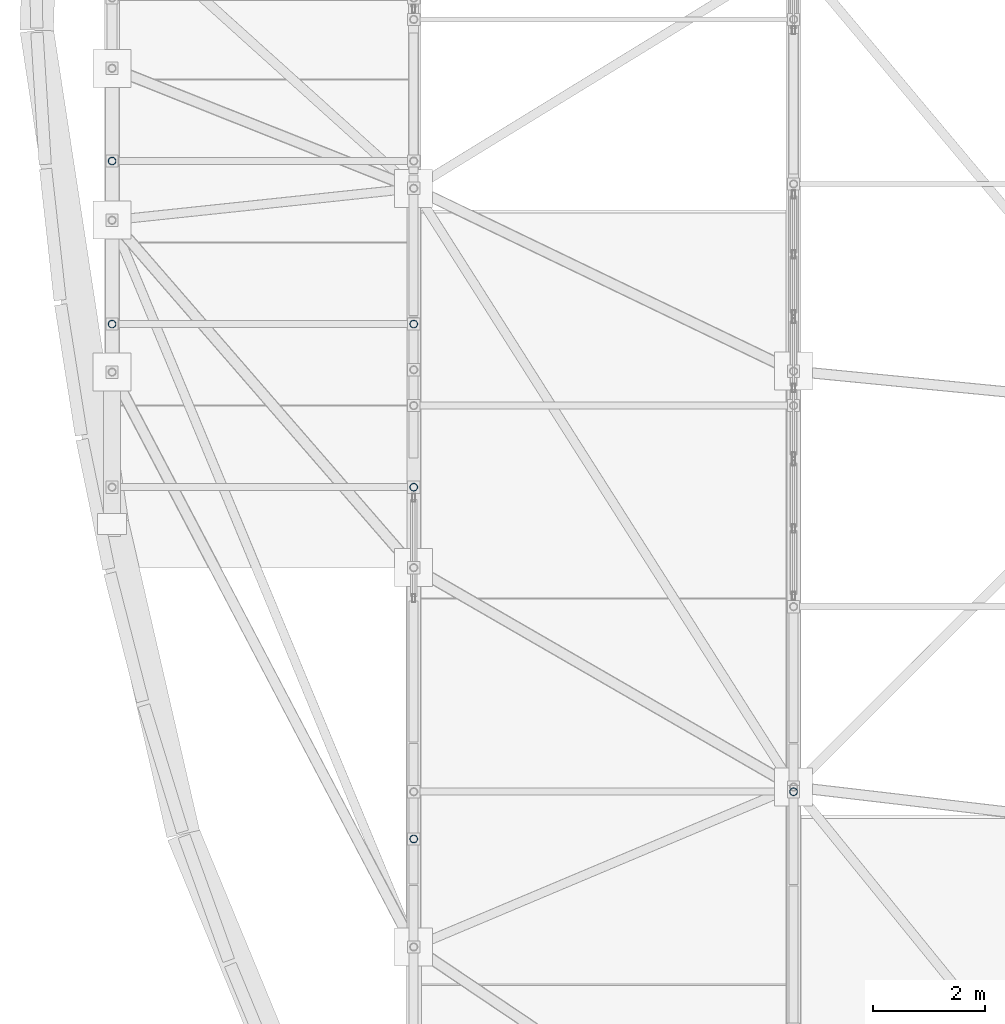
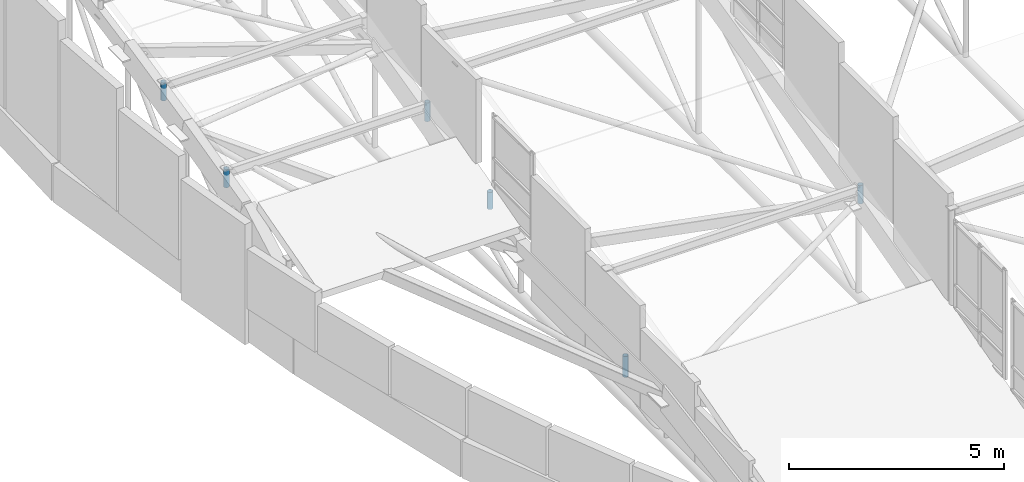
# One storey, part 129 of 188: 6 members.
"""IFC4 building model written with IfcOpenShell, lengths in metres."""

from ifc_helpers import new_model, si_unit, direction, frame, origin, origin_2d, place, context, subcontext, project, spatial, hollow_circle, extrude, material, material_profile, profile_set, type_object, element, save


model = new_model("IFC4")

# Units and contexts
model_context = context("Model", 3, precision=1e-05, world=origin(), true_north=direction((0.0, 1.0)))
body_context = subcontext(model_context, "Body", "Model", "MODEL_VIEW")
ifc_project = project(units=[si_unit("LENGTHUNIT", "METRE"), si_unit("AREAUNIT", "SQUARE_METRE"), si_unit("VOLUMEUNIT", "CUBIC_METRE"), si_unit("PLANEANGLEUNIT", "RADIAN"), si_unit("MASSUNIT", "GRAM", prefix="KILO")], contexts=[model_context])

# Site, building, storey
site_placement = place(None, origin())
site = spatial("IfcSite", under=ifc_project, at=site_placement, CompositionType="ELEMENT")
building_placement = place(site_placement, origin())
building = spatial("IfcBuilding", under=site, at=building_placement, Name="Kisaragi Civic Commons", CompositionType="ELEMENT")
storey_placement = place(building_placement, frame((0.0, 0.0, 9.60009765625)))
storey = spatial("IfcBuildingStorey", under=building, at=storey_placement, Name="L02", CompositionType="ELEMENT", Elevation=9.60009765625)

# Members
ifc_material = material(Name="Steel SN490 (SN490B)", Category="steel")
ifc_material_profile = material_profile(ifc_material, hollow_circle(Radius=0.06982421875, WallThickness=0.006103515625, at=origin_2d()), Name="CHS-139.8x6.0", Category="steel")
ifc_profile_set = profile_set([ifc_material_profile], Name="Steel SN490 (SN490B)")
member_type = type_object("IfcMemberType", Name="ST-H1", PredefinedType="STRUT", material=ifc_profile_set)
member_1_placement = place(storey_placement, frame((6.800048828125, 16.800048828125, -0.02001953125), z_axis=(0.0, 0.0, 1.0), x_axis=(1.0, 0.0, 0.0)))
element("IfcMember", 1, at=member_1_placement, inside=storey, type_object=member_type, Name="V1 interior column arch support post (6.8,16.8)", PredefinedType="STRUT", context=body_context, shape_type="SweptSolid", body=[
    extrude(hollow_circle(Radius=0.06982421875, WallThickness=0.006103515625, at=origin_2d()), origin(), (0.0, 0.0, 1.0), 0.58740234375),
])
member_2_placement = place(storey_placement, frame((6.800048828125, 23.09814453125, 0.925048828125), z_axis=(0.0, 0.0, 1.0), x_axis=(1.0, 0.0, 0.0)))
element("IfcMember", 2, at=member_2_placement, inside=storey, type_object=member_type, Name="V1 clerestory monitor horizontal tie strut 1.1.1", PredefinedType="STRUT", context=body_context, shape_type="SweptSolid", body=[
    extrude(hollow_circle(Radius=0.06982421875, WallThickness=0.006103515625, at=origin_2d()), origin(), (0.0, 0.0, 1.0), 0.48486328125),
])
member_3_placement = place(storey_placement, frame((1.39990234375, 26.017333984375, 1.6650390625), z_axis=(0.0, 0.0, 1.0), x_axis=(1.0, 0.0, 0.0)))
element("IfcMember", 3, at=member_3_placement, inside=storey, type_object=member_type, Name="V1 clerestory monitor horizontal tie strut 1.0.2", PredefinedType="STRUT", context=body_context, shape_type="SweptSolid", body=[
    extrude(hollow_circle(Radius=0.06982421875, WallThickness=0.006103515625, at=origin_2d()), origin(), (0.0, 0.0, 1.0), 0.516845703125),
])
member_4_placement = place(storey_placement, frame((6.800048828125, 26.017333984375, 1.64990234375), z_axis=(0.0, 0.0, 1.0), x_axis=(1.0, 0.0, 0.0)))
element("IfcMember", 4, at=member_4_placement, inside=storey, type_object=member_type, Name="V1 clerestory monitor horizontal tie strut 1.1.2", PredefinedType="STRUT", context=body_context, shape_type="SweptSolid", body=[
    extrude(hollow_circle(Radius=0.06982421875, WallThickness=0.006103515625, at=origin_2d()), origin(), (0.0, 0.0, 1.0), 0.531982421875),
])
member_5_placement = place(storey_placement, frame((1.39990234375, 28.9365234375, 2.36181640625), z_axis=(0.0, 0.0, 1.0), x_axis=(1.0, 0.0, 0.0)))
element("IfcMember", 5, at=member_5_placement, inside=storey, type_object=member_type, Name="V1 clerestory monitor horizontal tie strut 1.0.3", PredefinedType="STRUT", context=body_context, shape_type="SweptSolid", body=[
    extrude(hollow_circle(Radius=0.06982421875, WallThickness=0.006103515625, at=origin_2d()), origin(), (0.0, 0.0, 1.0), 0.510986328125),
])
member_6_placement = place(storey_placement, frame((13.60009765625, 17.6455078125, 2.01171875), z_axis=(0.0, 0.0, 1.0), x_axis=(1.0, 0.0, 0.0)))
element("IfcMember", 6, at=member_6_placement, inside=storey, type_object=member_type, Name="V1 clerestory monitor horizontal tie strut 2.2.2", PredefinedType="STRUT", context=body_context, shape_type="SweptSolid", body=[
    extrude(hollow_circle(Radius=0.06982421875, WallThickness=0.006103515625, at=origin_2d()), origin(), (0.0, 0.0, 1.0), 0.51708984375),
])

save(model, "model.ifc")
